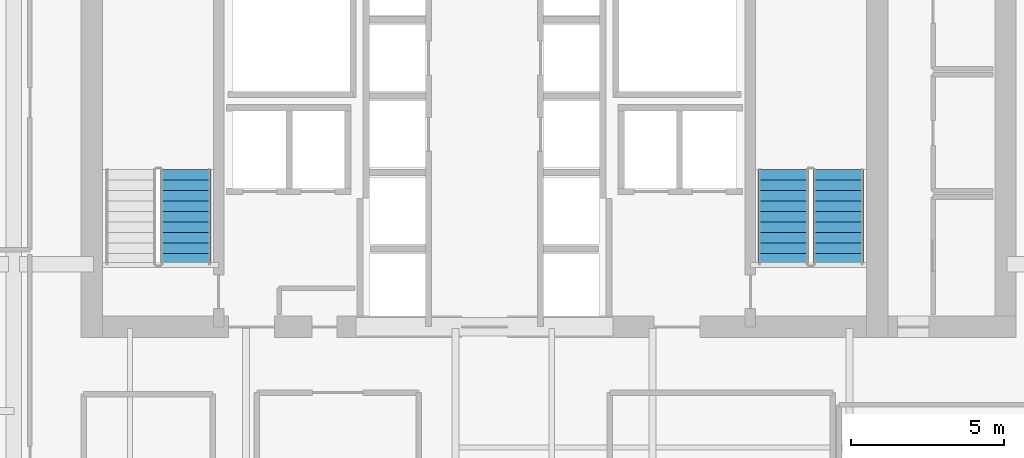
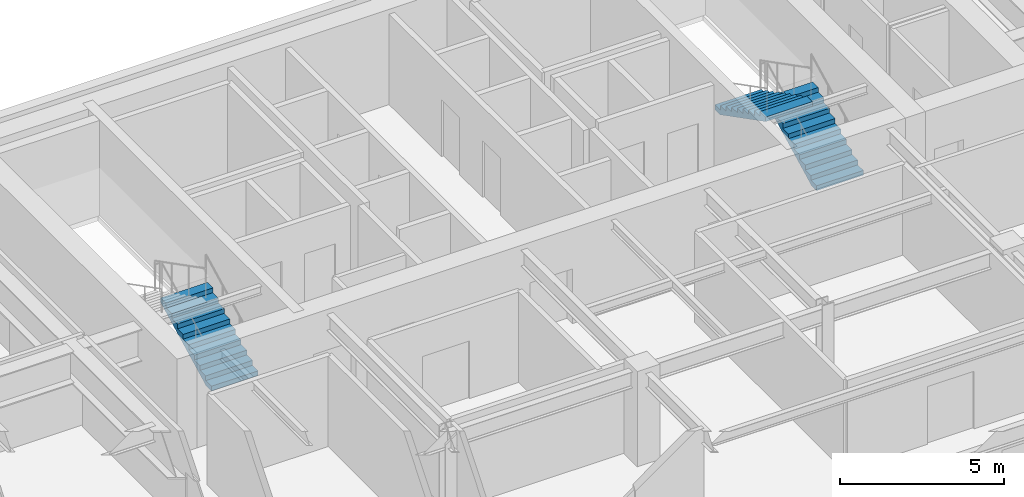
# One storey, part 15 of 20: 3 stair flights, 2 elements without a shape of their own.
"""IFC4 building model written with IfcOpenShell, lengths in metres."""

from ifc_helpers import new_model, si_unit, direction, frame, origin, place, context, subcontext, project, spatial, polyline, outline, extrude, material, type_object, element, aggregate, save


model = new_model("IFC4")

# Units and contexts
model_context = context("Model", 3, precision=1e-05, world=origin(), true_north=direction((0.0, 1.0)))
body_context = subcontext(model_context, "Body", "Model", "MODEL_VIEW")
ifc_project = project(units=[si_unit("LENGTHUNIT", "METRE"), si_unit("AREAUNIT", "SQUARE_METRE"), si_unit("VOLUMEUNIT", "CUBIC_METRE"), si_unit("PLANEANGLEUNIT", "RADIAN"), si_unit("MASSUNIT", "GRAM", prefix="KILO")], contexts=[model_context])

# Site, building, storey
site_placement = place(None, origin())
site = spatial("IfcSite", under=ifc_project, at=site_placement, CompositionType="ELEMENT")
building_placement = place(site_placement, origin())
building = spatial("IfcBuilding", under=site, at=building_placement, Name="Tolvann Quenvar Hotel", CompositionType="ELEMENT")
storey_placement = place(building_placement, frame((0.0, 0.0, 175.449951171875)))
storey = spatial("IfcBuildingStorey", under=building, at=storey_placement, Name="L46", CompositionType="ELEMENT", Elevation=175.449951171875)

# Stair, stair flight
ifc_material = material(Name="Concrete N40 (40 MPa)", Category="concrete")
stair_type = type_object("IfcStairType", Name="STAIR", PredefinedType="HALF_TURN_STAIR", material=ifc_material)
stair_1_placement = place(storey_placement, origin())
stair_1 = element("IfcStair", 1, at=stair_1_placement, inside=storey, type_object=stair_type, Name="L46 ST-C1", PredefinedType="HALF_TURN_STAIR")
stair_flight_type = type_object("IfcStairFlightType", Name="STAIR_FLIGHT", PredefinedType="STRAIGHT", material=ifc_material)
stair_flight_1_placement = place(storey_placement, frame((13.22509765625, 34.0, 0.0), z_axis=(0.0, 0.0, 1.0), x_axis=(0.0, 1.0, 0.0)))
stair_flight_1 = element("IfcStairFlight", 2, at=stair_flight_1_placement, type_object=stair_flight_type, Name="ST-C1 flight 1", NumberOfRisers=10, NumberOfTreads=9, PredefinedType="STRAIGHT", RiserHeight=0.1775, TreadLength=0.345, context=body_context, shape_type="SweptSolid", body=[
    extrude(outline(polyline([(0.0, 0.0), (0.0, 0.177490234375), (0.344970703125, 0.177490234375), (0.344970703125, 0.35498046875), (0.68994140625, 0.35498046875), (0.68994140625, 0.532470703125), (1.034912109375, 0.532470703125), (1.034912109375, 0.7099609375), (1.3798828125, 0.7099609375), (1.3798828125, 0.887451171875), (1.72509765625, 0.887451171875), (1.72509765625, 1.06494140625), (2.070068359375, 1.06494140625), (2.070068359375, 1.242431640625), (2.4150390625, 1.242431640625), (2.4150390625, 1.419921875), (2.760009765625, 1.419921875), (2.760009765625, 1.597412109375), (3.10498046875, 1.597412109375), (3.10498046875, 1.77490234375), (3.10498046875, 1.428955078125), (0.32763671875, 0.0), (0.0, 0.0)])), frame((0.0, 0.824951171875, 0.0), z_axis=(0.0, -1.0, 0.0), x_axis=(1.0, 0.0, 0.0)), (0.0, 0.0, 1.0), 1.64990234375),
])
aggregate(stair_1, [stair_flight_1])

# Stair, stair flights
stair_2_placement = place(storey_placement, origin())
stair_2 = element("IfcStair", 3, at=stair_2_placement, inside=storey, type_object=stair_type, Name="L46 ST-C2", PredefinedType="HALF_TURN_STAIR")
stair_flight_2_placement = place(storey_placement, frame((34.574951171875, 34.0, 0.0), z_axis=(0.0, 0.0, 1.0), x_axis=(0.0, 1.0, 0.0)))
stair_flight_2 = element("IfcStairFlight", 4, at=stair_flight_2_placement, type_object=stair_flight_type, Name="ST-C2 flight 1", NumberOfRisers=10, NumberOfTreads=9, PredefinedType="STRAIGHT", RiserHeight=0.1775, TreadLength=0.345, context=body_context, shape_type="SweptSolid", body=[
    extrude(outline(polyline([(0.0, 0.0), (0.0, 0.177490234375), (0.344970703125, 0.177490234375), (0.344970703125, 0.35498046875), (0.68994140625, 0.35498046875), (0.68994140625, 0.532470703125), (1.034912109375, 0.532470703125), (1.034912109375, 0.7099609375), (1.3798828125, 0.7099609375), (1.3798828125, 0.887451171875), (1.72509765625, 0.887451171875), (1.72509765625, 1.06494140625), (2.070068359375, 1.06494140625), (2.070068359375, 1.242431640625), (2.4150390625, 1.242431640625), (2.4150390625, 1.419921875), (2.760009765625, 1.419921875), (2.760009765625, 1.597412109375), (3.10498046875, 1.597412109375), (3.10498046875, 1.77490234375), (3.10498046875, 1.428955078125), (0.32763671875, 0.0), (0.0, 0.0)])), frame((0.0, 0.824951171875, 0.0), z_axis=(0.0, -1.0, 0.0), x_axis=(1.0, 0.0, 0.0)), (0.0, 0.0, 1.0), 1.64990234375),
])
stair_flight_3_placement = place(storey_placement, frame((32.77490234375, 37.10498046875, 1.775146484375), z_axis=(0.0, 0.0, 1.0), x_axis=(0.0, -1.0, 0.0)))
stair_flight_3 = element("IfcStairFlight", 5, at=stair_flight_3_placement, type_object=stair_flight_type, Name="ST-C2 flight 2", NumberOfRisers=10, NumberOfTreads=9, PredefinedType="STRAIGHT", RiserHeight=0.1775, TreadLength=0.345, context=body_context, shape_type="SweptSolid", body=[
    extrude(outline(polyline([(0.0, 0.0), (0.0, 0.177490234375), (0.344970703125, 0.177490234375), (0.344970703125, 0.35498046875), (0.68994140625, 0.35498046875), (0.68994140625, 0.532470703125), (1.034912109375, 0.532470703125), (1.034912109375, 0.7099609375), (1.3798828125, 0.7099609375), (1.3798828125, 0.887451171875), (1.72509765625, 0.887451171875), (1.72509765625, 1.06494140625), (2.070068359375, 1.06494140625), (2.070068359375, 1.242431640625), (2.4150390625, 1.242431640625), (2.4150390625, 1.419921875), (2.760009765625, 1.419921875), (2.760009765625, 1.597412109375), (3.10498046875, 1.597412109375), (3.10498046875, 1.77490234375), (3.10498046875, 1.428955078125), (0.32763671875, 0.0), (0.0, 0.0)])), frame((0.0, 0.824951171875, 0.0), z_axis=(0.0, -1.0, 0.0), x_axis=(1.0, 0.0, 0.0)), (0.0, 0.0, 1.0), 1.64990234375),
])
aggregate(stair_2, [stair_flight_2, stair_flight_3])

save(model, "model.ifc")
